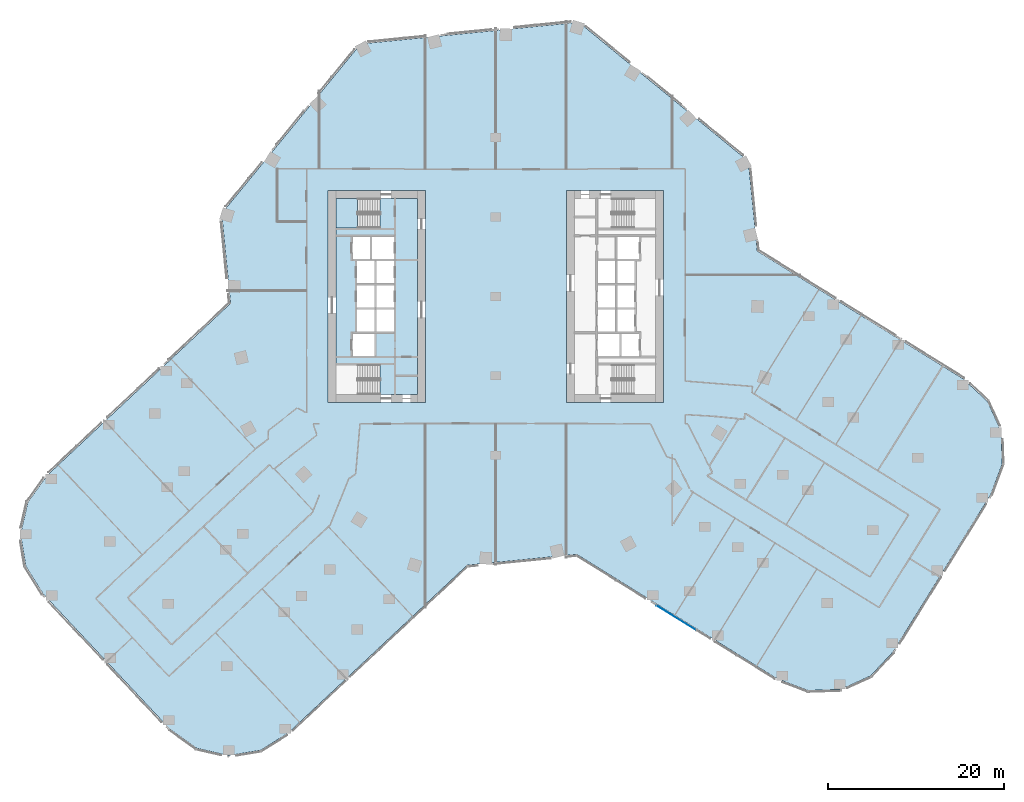
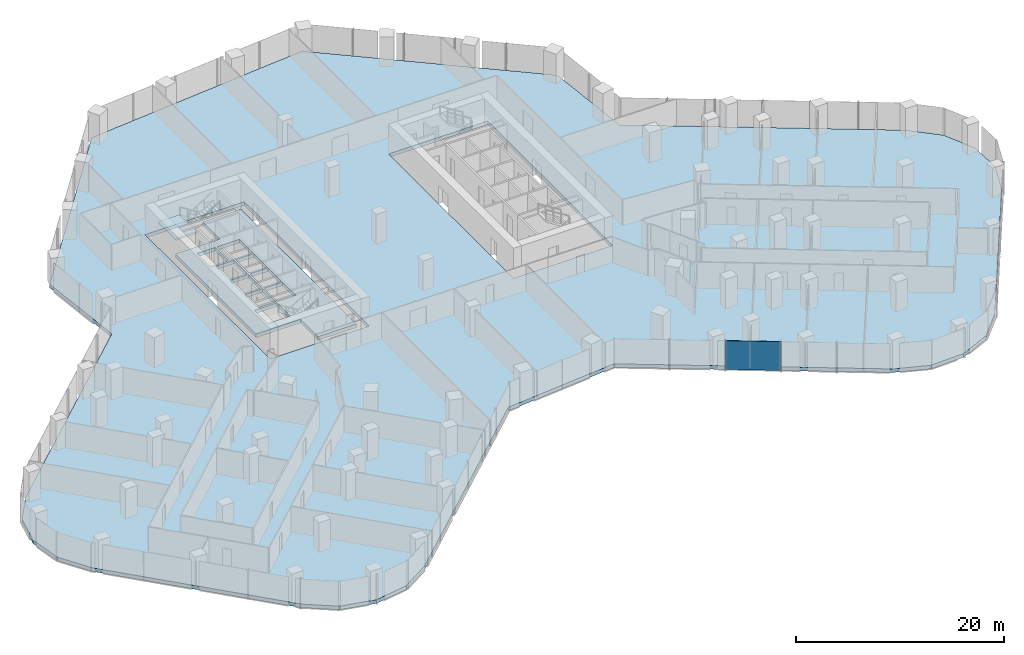
# One storey, part 20 of 34: 3 slabs, 1 plate, 2 elements without a shape of their own.
"""IFC4 building model written with IfcOpenShell, lengths in metres."""

from ifc_helpers import new_model, si_unit, direction, frame, origin, origin_2d, place, context, subcontext, project, spatial, polyline, rectangle, outline, extrude, material, layer, layer_set, type_object, element, aggregate, save


model = new_model("IFC4")

# Units and contexts
model_context = context("Model", 3, precision=1e-05, world=origin(), true_north=direction((0.0, 1.0)))
body_context = subcontext(model_context, "Body", "Model", "MODEL_VIEW")
ifc_project = project(units=[si_unit("LENGTHUNIT", "METRE"), si_unit("AREAUNIT", "SQUARE_METRE"), si_unit("VOLUMEUNIT", "CUBIC_METRE"), si_unit("PLANEANGLEUNIT", "RADIAN"), si_unit("MASSUNIT", "GRAM", prefix="KILO")], contexts=[model_context])

# Site, building, storey
site_placement = place(None, origin())
site = spatial("IfcSite", under=ifc_project, at=site_placement, CompositionType="ELEMENT")
building_placement = place(site_placement, origin())
building = spatial("IfcBuilding", under=site, at=building_placement, Name="Orlundy Tower", CompositionType="ELEMENT")
storey_placement = place(building_placement, frame((0.0, 0.0, 47.800048828125)))
storey = spatial("IfcBuildingStorey", under=building, at=storey_placement, Name="L10", CompositionType="ELEMENT", Elevation=47.800048828125)

# Curtain wall, plate
ifc_material_1 = material(Name="Aluminium bronze anodised", Category="aluminium")
curtain_wall_type = type_object("IfcCurtainWallType", Name="CW1 wall", PredefinedType="NOTDEFINED", material=ifc_material_1)
curtain_wall_placement = place(storey_placement, origin())
curtain_wall = element("IfcCurtainWall", 1, at=curtain_wall_placement, inside=storey, type_object=curtain_wall_type, Name="CW1 run 016", PredefinedType="NOTDEFINED")
ifc_material_2 = material(Name="Tinted glass", Category="glass")
ifc_layer_1 = layer(ifc_material_2, 0.031982421875)
ifc_layer_set_1 = layer_set([ifc_layer_1], Name="CW1 glass panel 32")
plate_type = type_object("IfcPlateType", Name="CW1 glass panel 32", PredefinedType="CURTAIN_PANEL", material=ifc_layer_set_1)
plate_placement = place(storey_placement, frame((20.466064453125, -36.43994140625, -0.300048828125), z_axis=(0.0, 0.0, 1.0), x_axis=(-0.849586512969, 0.52744929328, 0.0)))
plate = element("IfcPlate", 2, at=plate_placement, type_object=plate_type, Name="CW1 panel", PredefinedType="CURTAIN_PANEL", context=body_context, shape_type="SweptSolid", body=[
    extrude(rectangle(XDim=5.306640625, YDim=0.031982421875, at=origin_2d()), origin(), (0.0, 0.0, 1.0), 3.3798828125),
])
aggregate(curtain_wall, [plate])

# Slab
ifc_material_3 = material(Name="Concrete C50/60", Category="concrete")
ifc_layer_2 = layer(ifc_material_3, 0.419921875)
ifc_layer_set_2 = layer_set([ifc_layer_2], Name="Core Floor Slab 420")
slab_type_1 = type_object("IfcSlabType", Name="Core Floor Slab 420", PredefinedType="FLOOR", material=ifc_layer_set_2)
slab_1_placement = place(storey_placement, frame((0.0, 0.0, -0.420166015625)))
element("IfcSlab", 3, at=slab_1_placement, inside=storey, type_object=slab_type_1, Name="Core floor W09", PredefinedType="FLOOR", context=body_context, shape_type="SweptSolid", body=[
    extrude(outline(polyline([(-13.14501953125, 7.75), (-13.14501953125, 11.10009765625), (-8.89990234375, 11.10009765625), (-8.89990234375, -11.10009765625), (-13.14501953125, -11.10009765625), (-13.14501953125, -7.75), (-18.10009765625, -7.75), (-18.10009765625, 7.75), (-13.14501953125, 7.75)]), holes=[polyline([(-16.239990234375, -6.77490234375), (-13.739990234375, -6.77490234375), (-13.739990234375, -4.22509765625), (-16.239990234375, -4.22509765625), (-16.239990234375, -6.77490234375)]), polyline([(-13.5400390625, -1.47509765625), (-13.5400390625, -4.02490234375), (-11.5400390625, -4.02490234375), (-11.5400390625, -1.47509765625), (-13.5400390625, -1.47509765625)]), polyline([(-13.739990234375, -1.47509765625), (-15.739990234375, -1.47509765625), (-15.739990234375, -4.02490234375), (-13.739990234375, -4.02490234375), (-13.739990234375, -1.47509765625)]), polyline([(-11.5400390625, -1.27490234375), (-11.5400390625, 1.27490234375), (-13.5400390625, 1.27490234375), (-13.5400390625, -1.27490234375), (-11.5400390625, -1.27490234375)]), polyline([(-15.739990234375, -1.27490234375), (-13.739990234375, -1.27490234375), (-13.739990234375, 1.27490234375), (-15.739990234375, 1.27490234375), (-15.739990234375, -1.27490234375)]), polyline([(-13.5400390625, 4.02490234375), (-13.5400390625, 1.47509765625), (-11.5400390625, 1.47509765625), (-11.5400390625, 4.02490234375), (-13.5400390625, 4.02490234375)]), polyline([(-13.739990234375, 4.02490234375), (-15.739990234375, 4.02490234375), (-15.739990234375, 1.47509765625), (-13.739990234375, 1.47509765625), (-13.739990234375, 4.02490234375)]), polyline([(-11.5400390625, 4.22509765625), (-11.5400390625, 6.77490234375), (-14.0400390625, 6.77490234375), (-14.0400390625, 4.22509765625), (-11.5400390625, 4.22509765625)]), polyline([(-16.239990234375, 4.22509765625), (-14.239990234375, 4.22509765625), (-14.239990234375, 6.77490234375), (-16.239990234375, 6.77490234375), (-16.239990234375, 4.22509765625)])]), origin(), (0.0, 0.0, 1.0), 0.420166015625),
])

# Stair, slab
ifc_material_4 = material(Name="Concrete C50/60", Category="concrete")
stair_type = type_object("IfcStairType", Name="Exit Stair 20 risers", PredefinedType="HALF_TURN_STAIR", material=ifc_material_4)
stair_placement = place(storey_placement, origin())
stair = element("IfcStair", 4, at=stair_placement, inside=storey, type_object=stair_type, Name="L10 Exit Stair ST-W1", PredefinedType="HALF_TURN_STAIR")
ifc_material_5 = material(Name="Concrete C50/60", Category="concrete")
ifc_layer_3 = layer(ifc_material_5, 0.199951171875)
ifc_layer_set_3 = layer_set([ifc_layer_3], Name="Exit Stair Landing")
slab_type_2 = type_object("IfcSlabType", Name="Exit Stair Landing", PredefinedType="LANDING", material=ifc_layer_set_3)
slab_2_placement = place(storey_placement, frame((0.0, 0.0, 1.550048828125)))
slab_2 = element("IfcSlab", 5, at=slab_2_placement, type_object=slab_type_2, Name="ST-W1 landing 1", PredefinedType="LANDING", context=body_context, shape_type="SweptSolid", body=[
    extrude(outline(polyline([(-15.659912109375, 11.10009765625), (-18.10009765625, 11.10009765625), (-18.10009765625, 7.75), (-15.659912109375, 7.75), (-15.659912109375, 11.10009765625)])), origin(), (0.0, 0.0, 1.0), 0.199951171875),
])
aggregate(stair, [slab_2])

# Slab
ifc_material_6 = material(Name="Concrete C45/55", Category="concrete")
ifc_layer_4 = layer(ifc_material_6, 0.419921875)
ifc_layer_set_4 = layer_set([ifc_layer_4], Name="TRANSFER FLOOR SLAB 420 C45/55")
slab_type_3 = type_object("IfcSlabType", Name="TRANSFER FLOOR SLAB 420 C45/55", PredefinedType="FLOOR", material=ifc_layer_set_4)
slab_3_placement = place(storey_placement, frame((0.0, 0.0, -0.420166015625)))
element("IfcSlab", 6, at=slab_3_placement, inside=storey, type_object=slab_type_3, Name="Floor slab L10", PredefinedType="FLOOR", context=body_context, shape_type="SweptSolid", body=[
    extrude(outline(polyline([(-30.070068359375, -0.782958984375), (-31.080078125, 9.403076171875), (-15.327880859375, 28.6259765625), (9.403076171875, 31.080078125), (28.6259765625, 15.327880859375), (29.636962890625, 5.14111328125), (53.028076171875, -9.381103515625), (55.736083984375, -11.9130859375), (57.26806640625, -15.2880859375), (57.39208984375, -18.992919921875), (56.089111328125, -22.462890625), (45.011962890625, -40.303955078125), (42.47998046875, -43.010986328125), (39.10498046875, -44.54296875), (35.39990234375, -44.6669921875), (31.929931640625, -43.364013671875), (9.175048828125, -29.237060546875), (-3.25, -30.469970703125), (-23.514892578125, -49.47802734375), (-26.662109375, -51.43701171875), (-30.318115234375, -52.0439453125), (-33.928955078125, -51.205078125), (-36.943115234375, -49.048095703125), (-51.31005859375, -33.73095703125), (-53.27001953125, -30.5849609375), (-53.8759765625, -26.927978515625), (-53.037109375, -23.31689453125), (-50.8798828125, -20.302978515625), (-30.070068359375, -0.782958984375)]), holes=[polyline([(-8.0, -12.0), (-8.0, 12.0), (-19.0, 12.0), (-19.0, -12.0), (-8.0, -12.0)]), polyline([(19.0, -12.0), (19.0, 12.0), (8.0, 12.0), (8.0, -12.0), (19.0, -12.0)])]), origin(), (0.0, 0.0, 1.0), 0.420166015625),
])

save(model, "model.ifc")
